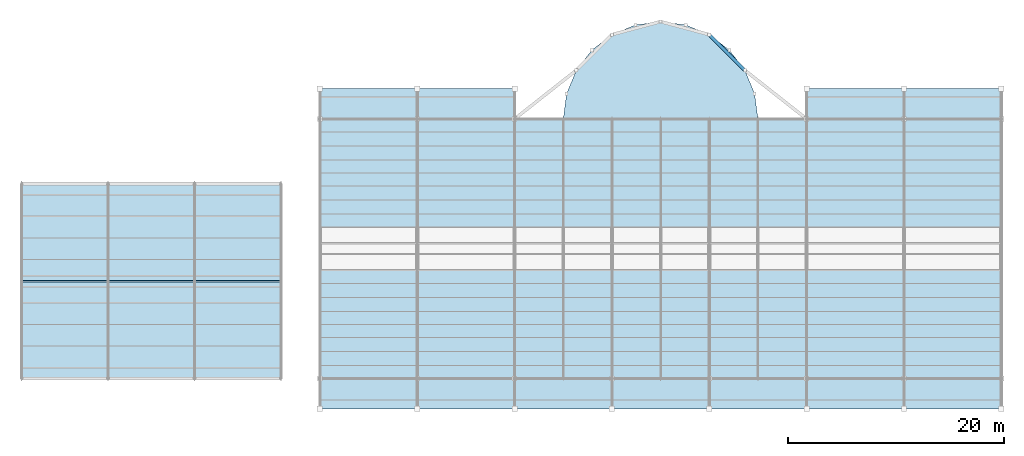
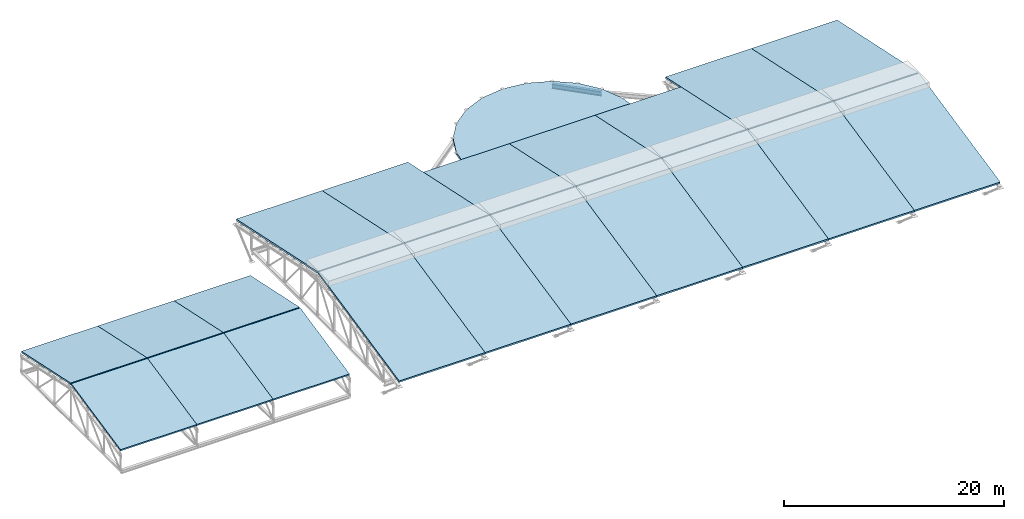
# One storey, part 31 of 43: 21 slabs, 1 beam.
"""IFC4 building model written with IfcOpenShell, lengths in metres."""

from ifc_helpers import new_model, si_unit, direction, frame, origin, origin_2d, place, context, subcontext, project, spatial, polyline, i_section, outline, extrude, material, layer, layer_set, material_profile, profile_set, type_object, element, save


model = new_model("IFC4")

# Units and contexts
model_context = context("Model", 3, precision=1e-05, world=origin(), true_north=direction((0.0, 1.0)))
body_context = subcontext(model_context, "Body", "Model", "MODEL_VIEW")
ifc_project = project(units=[si_unit("LENGTHUNIT", "METRE"), si_unit("AREAUNIT", "SQUARE_METRE"), si_unit("VOLUMEUNIT", "CUBIC_METRE"), si_unit("PLANEANGLEUNIT", "RADIAN"), si_unit("MASSUNIT", "GRAM", prefix="KILO")], contexts=[model_context])

# Site, building, storey
site_placement = place(None, origin())
site = spatial("IfcSite", under=ifc_project, at=site_placement, CompositionType="ELEMENT")
building_placement = place(site_placement, origin())
building = spatial("IfcBuilding", under=site, at=building_placement, Name="Serraforn Aerial Cableway Station", CompositionType="ELEMENT")
storey_placement = place(building_placement, frame((0.0, 0.0, 18.300048828125)))
storey = spatial("IfcBuildingStorey", under=building, at=storey_placement, Name="RF", CompositionType="ELEMENT", Elevation=18.300048828125)

# Beam
ifc_material_1 = material(Name="Steel S355J2", Category="steel")
ifc_material_profile = material_profile(ifc_material_1, i_section(OverallWidth=0.300048828125, OverallDepth=0.5, WebThickness=0.011962890625, FlangeThickness=0.02294921875, FilletRadius=0.027099609375, at=origin_2d()), Name="HEA 500")
ifc_profile_set = profile_set([ifc_material_profile], Name="Steel S355J2")
beam_type = type_object("IfcBeamType", Name="BM-ST-HEA500", PredefinedType="USERDEFINED", material=ifc_profile_set)
beam_placement = place(storey_placement, frame((63.60009765625, 49.794189453125, -0.5), z_axis=(0.707106781187, -0.707106781187, 0.0), x_axis=(0.707106781187, 0.707106781187, 0.0)))
element("IfcBeam", 1, at=beam_placement, inside=storey, type_object=beam_type, Name="Apse Roof Ring Girder 5", ObjectType="GIRDER", PredefinedType="USERDEFINED", context=body_context, shape_type="SweptSolid", body=[
    extrude(i_section(OverallWidth=0.300048828125, OverallDepth=0.5, WebThickness=0.011962890625, FlangeThickness=0.02294921875, FilletRadius=0.027099609375, at=origin_2d()), origin(), (0.0, 0.0, 1.0), 4.65869140625),
])

# Slabs
ifc_material_2 = material(Name="Precast concrete C40/50", Category="concrete")
ifc_layer_1 = layer(ifc_material_2, 0.18505859375)
ifc_layer_set_1 = layer_set([ifc_layer_1], Name="Precast concrete C40/50")
slab_type_1 = type_object("IfcSlabType", Name="SLB-PIT-185", PredefinedType="ROOF", material=ifc_layer_set_1)
for number, where, z_axis, x_axis, name in (
    (2, (0.0, 18.0, 0.699951171875), (0.0, -0.207901565531, 0.978149752875), (1.0, 0.0, 0.0), "Belvedere South Pitched Roof Slab 1"),
    (3, (8.0, 36.0, 0.699951171875), (0.0, 0.207901565531, 0.978149752875), (-1.0, 0.0, 0.0), "Belvedere North Pitched Roof Slab 1"),
    (4, (8.0, 18.0, 0.699951171875), (0.0, -0.207901565531, 0.978149752875), (1.0, 0.0, 0.0), "Belvedere South Pitched Roof Slab 2"),
    (5, (16.0, 36.0, 0.699951171875), (0.0, 0.207901565531, 0.978149752875), (-1.0, 0.0, 0.0), "Belvedere North Pitched Roof Slab 2"),
    (6, (16.0, 18.0, 0.699951171875), (0.0, -0.207901565531, 0.978149752875), (1.0, 0.0, 0.0), "Belvedere South Pitched Roof Slab 3"),
    (7, (24.0, 36.0, 0.699951171875), (0.0, 0.207901565531, 0.978149752875), (-1.0, 0.0, 0.0), "Belvedere North Pitched Roof Slab 3"),
):
    element("IfcSlab", number, at=place(storey_placement, frame(where, z_axis=z_axis, x_axis=x_axis)), inside=storey, type_object=slab_type_1, Name=name, PredefinedType="ROOF", context=body_context, shape_type="SweptSolid", body=[
        extrude(outline(polyline([(0.0, 0.0), (8.0, 0.0), (8.0, 9.13964490608174), (0.0, 9.13964490608174), (0.0, 0.0)])), origin(), (0.0, 0.0, -1.0), 0.18505859375),
    ])
ifc_layer_2 = layer(ifc_material_2, 0.2099609375)
ifc_layer_set_2 = layer_set([ifc_layer_2], Name="Precast concrete C40/50")
slab_type_2 = type_object("IfcSlabType", Name="SLB-PIT-210", PredefinedType="ROOF", material=ifc_layer_set_2)
for number, where, z_axis, x_axis, name in (
    (8, (27.60009765625, 15.199951171875, 0.354736328125), (0.0, -0.20791010336, 0.978147938157), (1.0, 0.0, 0.0), "Boarding Hall South Pitched Roof Slab 1"),
    (9, (36.60009765625, 44.800048828125, 0.354736328125), (0.0, 0.20791010336, 0.978147938157), (-1.0, 0.0, 0.0), "Boarding Hall North Pitched Roof Slab 1"),
    (10, (36.60009765625, 15.199951171875, 0.354736328125), (0.0, -0.20791010336, 0.978147938157), (1.0, 0.0, 0.0), "Boarding Hall South Pitched Roof Slab 2"),
    (11, (45.60009765625, 44.800048828125, 0.354736328125), (0.0, 0.20791010336, 0.978147938157), (-1.0, 0.0, 0.0), "Boarding Hall North Pitched Roof Slab 2"),
    (12, (45.60009765625, 15.199951171875, 0.354736328125), (0.0, -0.20791010336, 0.978147938157), (1.0, 0.0, 0.0), "Boarding Hall South Pitched Roof Slab 3"),
):
    element("IfcSlab", number, at=place(storey_placement, frame(where, z_axis=z_axis, x_axis=x_axis)), inside=storey, type_object=slab_type_2, Name=name, PredefinedType="ROOF", context=body_context, shape_type="SweptSolid", body=[
        extrude(outline(polyline([(0.0, 0.0), (9.0, 0.0), (9.0, 15.06928518619363), (0.0, 15.06928518619363), (0.0, 0.0)])), origin(), (0.0, 0.0, -1.0), 0.2099609375),
    ])
slab_1_placement = place(storey_placement, frame((54.60009765625, 42.0, 0.949951171875), z_axis=(0.0, 0.20790611831, 0.97814878519), x_axis=(-1.0, 0.0, 0.0)))
element("IfcSlab", 13, at=slab_1_placement, inside=storey, type_object=slab_type_2, Name="Boarding Hall North Pitched Roof Slab 3", PredefinedType="ROOF", context=body_context, shape_type="SweptSolid", body=[
    extrude(outline(polyline([(0.0, 0.0), (9.0, 0.0), (9.0, 12.206672018640008), (0.0, 12.206672018640008), (0.0, 0.0)])), origin(), (0.0, 0.0, -1.0), 0.2099609375),
])
slab_2_placement = place(storey_placement, frame((54.60009765625, 15.199951171875, 0.354736328125), z_axis=(0.0, -0.20791010336, 0.978147938157), x_axis=(1.0, 0.0, 0.0)))
element("IfcSlab", 14, at=slab_2_placement, inside=storey, type_object=slab_type_2, Name="Boarding Hall South Pitched Roof Slab 4", PredefinedType="ROOF", context=body_context, shape_type="SweptSolid", body=[
    extrude(outline(polyline([(0.0, 0.0), (9.0, 0.0), (9.0, 15.06928518619363), (0.0, 15.06928518619363), (0.0, 0.0)])), origin(), (0.0, 0.0, -1.0), 0.2099609375),
])
slab_3_placement = place(storey_placement, frame((63.60009765625, 42.0, 0.949951171875), z_axis=(0.0, 0.20790611831, 0.97814878519), x_axis=(-1.0, 0.0, 0.0)))
element("IfcSlab", 15, at=slab_3_placement, inside=storey, type_object=slab_type_2, Name="Boarding Hall North Pitched Roof Slab 4", PredefinedType="ROOF", context=body_context, shape_type="SweptSolid", body=[
    extrude(outline(polyline([(0.0, 0.0), (9.0, 0.0), (9.0, 12.206672018640008), (0.0, 12.206672018640008), (0.0, 0.0)])), origin(), (0.0, 0.0, -1.0), 0.2099609375),
])
slab_4_placement = place(storey_placement, frame((63.60009765625, 15.199951171875, 0.354736328125), z_axis=(0.0, -0.20791010336, 0.978147938157), x_axis=(1.0, 0.0, 0.0)))
element("IfcSlab", 16, at=slab_4_placement, inside=storey, type_object=slab_type_2, Name="Boarding Hall South Pitched Roof Slab 5", PredefinedType="ROOF", context=body_context, shape_type="SweptSolid", body=[
    extrude(outline(polyline([(0.0, 0.0), (9.0, 0.0), (9.0, 15.06928518619363), (0.0, 15.06928518619363), (0.0, 0.0)])), origin(), (0.0, 0.0, -1.0), 0.2099609375),
])
slab_5_placement = place(storey_placement, frame((72.60009765625, 42.0, 0.949951171875), z_axis=(0.0, 0.20790611831, 0.97814878519), x_axis=(-1.0, 0.0, 0.0)))
element("IfcSlab", 17, at=slab_5_placement, inside=storey, type_object=slab_type_2, Name="Boarding Hall North Pitched Roof Slab 5", PredefinedType="ROOF", context=body_context, shape_type="SweptSolid", body=[
    extrude(outline(polyline([(0.0, 0.0), (9.0, 0.0), (9.0, 12.206672018640008), (0.0, 12.206672018640008), (0.0, 0.0)])), origin(), (0.0, 0.0, -1.0), 0.2099609375),
])
for number, where, z_axis, x_axis, name in (
    (18, (72.60009765625, 15.199951171875, 0.354736328125), (0.0, -0.20791010336, 0.978147938157), (1.0, 0.0, 0.0), "Boarding Hall South Pitched Roof Slab 6"),
    (19, (81.60009765625, 44.800048828125, 0.354736328125), (0.0, 0.20791010336, 0.978147938157), (-1.0, 0.0, 0.0), "Boarding Hall North Pitched Roof Slab 6"),
    (20, (81.60009765625, 15.199951171875, 0.354736328125), (0.0, -0.20791010336, 0.978147938157), (1.0, 0.0, 0.0), "Boarding Hall South Pitched Roof Slab 7"),
    (21, (90.60009765625, 44.800048828125, 0.354736328125), (0.0, 0.20791010336, 0.978147938157), (-1.0, 0.0, 0.0), "Boarding Hall North Pitched Roof Slab 7"),
):
    element("IfcSlab", number, at=place(storey_placement, frame(where, z_axis=z_axis, x_axis=x_axis)), inside=storey, type_object=slab_type_2, Name=name, PredefinedType="ROOF", context=body_context, shape_type="SweptSolid", body=[
        extrude(outline(polyline([(0.0, 0.0), (9.0, 0.0), (9.0, 15.06928518619363), (0.0, 15.06928518619363), (0.0, 0.0)])), origin(), (0.0, 0.0, -1.0), 0.2099609375),
    ])
ifc_material_3 = material(Name="Concrete C35/45", Category="concrete")
ifc_layer_3 = layer(ifc_material_3, 0.25)
ifc_layer_set_3 = layer_set([ifc_layer_3], Name="Concrete C35/45")
slab_type_3 = type_object("IfcSlabType", Name="SLB-ROOF-250", PredefinedType="ROOF", material=ifc_layer_set_3)
slab_6_placement = place(storey_placement, frame((0.0, 0.0, -0.25)))
element("IfcSlab", 22, at=slab_6_placement, inside=storey, type_object=slab_type_3, Name="Bullwheel Apse Crown Roof Slab", PredefinedType="ROOF", context=body_context, shape_type="SweptSolid", body=[
    extrude(outline(polyline([(50.10009765625, 42.0), (50.10009765625, 42.0), (50.40673828125, 44.329345703125), (51.305908203125, 46.5), (52.736083984375, 48.364013671875), (54.60009765625, 49.794189453125), (56.7705078125, 50.693359375), (59.10009765625, 51.0), (61.429443359375, 50.693359375), (63.60009765625, 49.794189453125), (65.464111328125, 48.364013671875), (66.894287109375, 46.5), (67.793212890625, 44.329345703125), (68.10009765625, 42.0), (68.10009765625, 42.0), (50.10009765625, 42.0)])), origin(), (0.0, 0.0, 1.0), 0.25),
])

save(model, "model.ifc")
